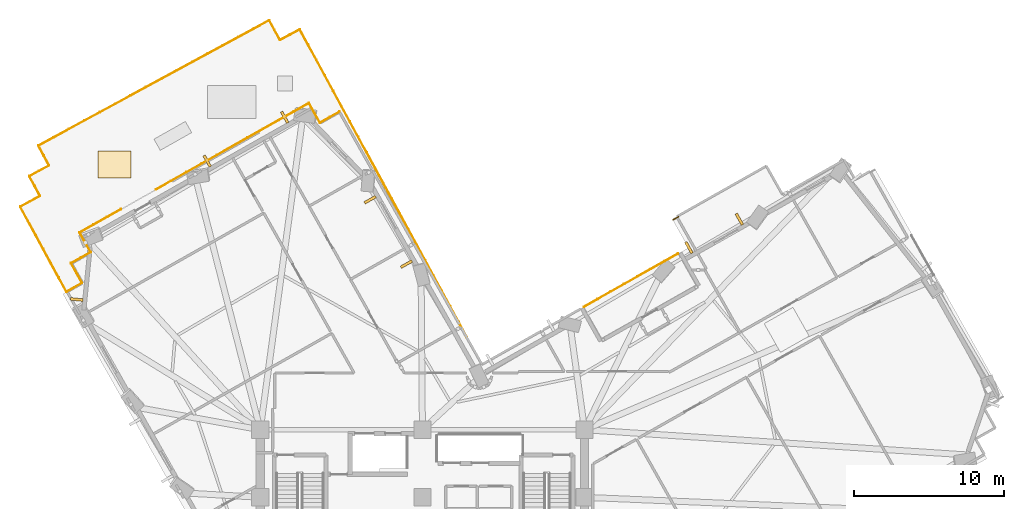
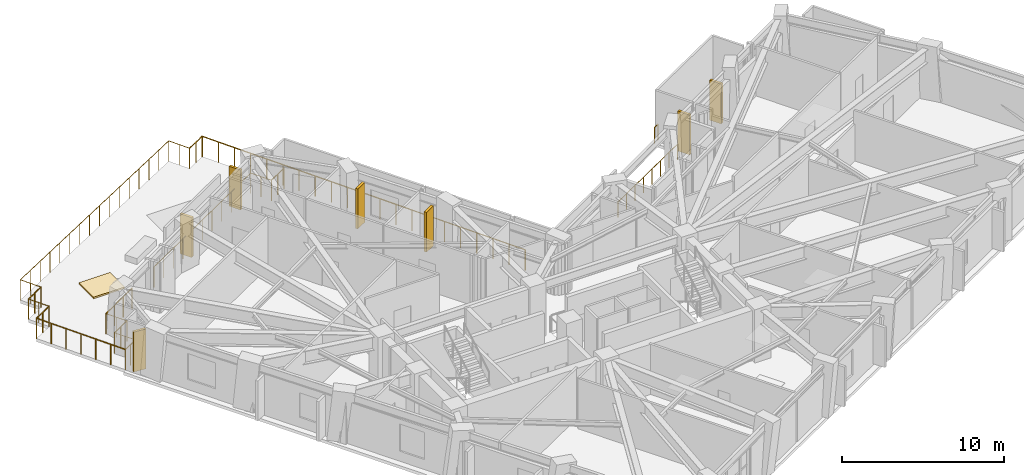
# One storey, part 17 of 18: 19 railings, 7 shading devices, 1 covering.
"""IFC4 building model written with IfcOpenShell, lengths in metres."""

from ifc_helpers import new_model, si_unit, direction, frame, origin, origin_2d, place, context, subcontext, project, spatial, rectangle, circle, extrude, material, layer, layer_set, type_object, element, save


model = new_model("IFC4")

# Units and contexts
model_context = context("Model", 3, precision=1e-05, world=origin(), true_north=direction((0.0, 1.0)))
body_context = subcontext(model_context, "Body", "Model", "MODEL_VIEW")
ifc_project = project(units=[si_unit("LENGTHUNIT", "METRE"), si_unit("AREAUNIT", "SQUARE_METRE"), si_unit("VOLUMEUNIT", "CUBIC_METRE"), si_unit("PLANEANGLEUNIT", "RADIAN"), si_unit("MASSUNIT", "GRAM", prefix="KILO")], contexts=[model_context])

# Site, building, storey
site_placement = place(None, origin())
site = spatial("IfcSite", under=ifc_project, at=site_placement, CompositionType="ELEMENT")
building_placement = place(site_placement, origin())
building = spatial("IfcBuilding", under=site, at=building_placement, Name="Gaonmaruhae Medical Tower", CompositionType="ELEMENT")
storey_placement = place(building_placement, frame((0.0, 0.0, 149.800048828125)))
storey = spatial("IfcBuildingStorey", under=building, at=storey_placement, Name="L35", CompositionType="ELEMENT", Elevation=149.800048828125)

# Railings
ifc_material_1 = material(Name="Stainless steel 316L and laminated safety glass", Category="steel")
ifc_layer_1 = layer(ifc_material_1, 0.080078125)
ifc_layer_set_1 = layer_set([ifc_layer_1], Name="Stainless steel 316L and laminated safety glass")
railing_type_1 = type_object("IfcRailingType", Name="GD-120 Outdoor Terrace Safety Glass & Steel Balustrade", PredefinedType="BALUSTRADE", material=ifc_layer_set_1)
railing_1_placement = place(storey_placement, frame((41.8251953125, 28.525390625, 0.0)))
element("IfcRailing", 1, at=railing_1_placement, inside=storey, type_object=railing_type_1, Name="L35 Terrace Safety Guard RL-SLB-L35-TER-03", PredefinedType="BALUSTRADE", context=body_context, shape_type="SweptSolid", body=[
    extrude(circle(Radius=0.02392578125, at=origin_2d()), frame((0.0, 0.0, 1.17578125), z_axis=(-0.870785676022, -0.491662797489, 0.0), x_axis=(0.491662797489, -0.870785676022, 0.0)), (0.0, 0.0, 1.0), 7.2001953125),
    extrude(circle(Radius=0.02099609375, at=origin_2d()), origin(), (0.0, 0.0, 1.0), 1.15185546875),
    extrude(circle(Radius=0.02099609375, at=origin_2d()), frame((-0.895751953125, -0.505615234375, 0.0)), (0.0, 0.0, 1.0), 1.15185546875),
    extrude(circle(Radius=0.02099609375, at=origin_2d()), frame((-1.791259765625, -1.011474609375, 0.0)), (0.0, 0.0, 1.0), 1.15185546875),
    extrude(circle(Radius=0.02099609375, at=origin_2d()), frame((-2.68701171875, -1.51708984375, 0.0)), (0.0, 0.0, 1.0), 1.15185546875),
    extrude(circle(Radius=0.02099609375, at=origin_2d()), frame((-3.582763671875, -2.02294921875, 0.0)), (0.0, 0.0, 1.0), 1.15185546875),
    extrude(circle(Radius=0.02099609375, at=origin_2d()), frame((-4.478515625, -2.528564453125, 0.0)), (0.0, 0.0, 1.0), 1.15185546875),
    extrude(circle(Radius=0.02099609375, at=origin_2d()), frame((-5.3740234375, -3.034423828125, 0.0)), (0.0, 0.0, 1.0), 1.15185546875),
    extrude(circle(Radius=0.02099609375, at=origin_2d()), frame((-6.269775390625, -3.5400390625, 0.0)), (0.0, 0.0, 1.0), 1.15185546875),
])
railing_2_placement = place(storey_placement, frame((41.491943359375, 30.783447265625, 0.0)))
element("IfcRailing", 2, at=railing_2_placement, inside=storey, type_object=railing_type_1, Name="L35 Perimeter Slab Edge Safety Balustrade 08", PredefinedType="BALUSTRADE", context=body_context, shape_type="SweptSolid", body=[
    extrude(circle(Radius=0.02392578125, at=origin_2d()), frame((0.0, 0.0, 1.17578125), z_axis=(0.870861196511, 0.49152901889, 0.0), x_axis=(-0.49152901889, 0.870861196511, 0.0)), (0.0, 0.0, 1.0), 0.411376953125),
    extrude(circle(Radius=0.02099609375, at=origin_2d()), origin(), (0.0, 0.0, 1.0), 1.15185546875),
    extrude(circle(Radius=0.02099609375, at=origin_2d()), frame((0.358154296875, 0.2021484375, 0.0)), (0.0, 0.0, 1.0), 1.15185546875),
])
ifc_layer_2 = layer(ifc_material_1, 0.080078125)
ifc_layer_set_2 = layer_set([ifc_layer_2], Name="Stainless steel 316L and laminated safety glass")
railing_type_2 = type_object("IfcRailingType", Name="GD-155 Planter-Edge Raised Safety Balustrade", PredefinedType="BALUSTRADE", material=ifc_layer_set_2)
railing_3_placement = place(storey_placement, frame((-0.663330078125, 32.3681640625, 0.0)))
element("IfcRailing", 3, at=railing_3_placement, inside=storey, type_object=railing_type_2, Name="L35 Terrace Safety Guard RL-SLB-L35-SKYG1-01", PredefinedType="BALUSTRADE", context=body_context, shape_type="SweptSolid", body=[
    extrude(circle(Radius=0.02392578125, at=origin_2d()), frame((0.0, 0.0, 1.52587890625), z_axis=(-0.47710623176, 0.878845631277, 0.0), x_axis=(-0.878845631277, -0.47710623176, 0.0)), (0.0, 0.0, 1.0), 1.499755859375),
    extrude(circle(Radius=0.02099609375, at=origin_2d()), origin(), (0.0, 0.0, 1.0), 1.501953125),
    extrude(circle(Radius=0.02099609375, at=origin_2d()), frame((-0.35791015625, 0.6591796875, 0.0)), (0.0, 0.0, 1.0), 1.501953125),
    extrude(circle(Radius=0.02099609375, at=origin_2d()), frame((-0.715576171875, 1.318115234375, 0.0)), (0.0, 0.0, 1.0), 1.501953125),
])
railing_4_placement = place(storey_placement, frame((-1.37890625, 33.686279296875, 0.0)))
element("IfcRailing", 4, at=railing_4_placement, inside=storey, type_object=railing_type_2, Name="L35 Terrace Safety Guard RL-SLB-L35-SKYG1-02", PredefinedType="BALUSTRADE", context=body_context, shape_type="SweptSolid", body=[
    extrude(circle(Radius=0.02392578125, at=origin_2d()), frame((0.0, 0.0, 1.52587890625), z_axis=(0.878777373768, 0.477231942931, 0.0), x_axis=(-0.477231942931, 0.878777373768, 0.0)), (0.0, 0.0, 1.0), 1.5),
    extrude(circle(Radius=0.02099609375, at=origin_2d()), origin(), (0.0, 0.0, 1.0), 1.501953125),
    extrude(circle(Radius=0.02099609375, at=origin_2d()), frame((0.6591796875, 0.35791015625, 0.0)), (0.0, 0.0, 1.0), 1.501953125),
    extrude(circle(Radius=0.02099609375, at=origin_2d()), frame((1.318115234375, 0.7158203125, 0.0)), (0.0, 0.0, 1.0), 1.501953125),
])
railing_5_placement = place(storey_placement, frame((-0.060791015625, 34.402099609375, 0.0)))
element("IfcRailing", 5, at=railing_5_placement, inside=storey, type_object=railing_type_2, Name="L35 Terrace Safety Guard RL-SLB-L35-SKYG1-03", PredefinedType="BALUSTRADE", context=body_context, shape_type="SweptSolid", body=[
    extrude(circle(Radius=0.02392578125, at=origin_2d()), frame((0.0, 0.0, 1.52587890625), z_axis=(-0.477231942931, 0.878777373768, 0.0), x_axis=(-0.878777373768, -0.477231942931, 0.0)), (0.0, 0.0, 1.0), 1.5),
    extrude(circle(Radius=0.02099609375, at=origin_2d()), origin(), (0.0, 0.0, 1.0), 1.501953125),
    extrude(circle(Radius=0.02099609375, at=origin_2d()), frame((-0.35791015625, 0.6591796875, 0.0)), (0.0, 0.0, 1.0), 1.501953125),
    extrude(circle(Radius=0.02099609375, at=origin_2d()), frame((-0.7158203125, 1.318115234375, 0.0)), (0.0, 0.0, 1.0), 1.501953125),
])
railing_6_placement = place(storey_placement, frame((-0.776611328125, 35.72021484375, 0.0)))
element("IfcRailing", 6, at=railing_6_placement, inside=storey, type_object=railing_type_2, Name="L35 Terrace Safety Guard RL-SLB-L35-SKYG1-04", PredefinedType="BALUSTRADE", context=body_context, shape_type="SweptSolid", body=[
    extrude(circle(Radius=0.02392578125, at=origin_2d()), frame((0.0, 0.0, 1.52587890625), z_axis=(0.878816828015, 0.477159284513, 0.0), x_axis=(-0.477159284513, 0.878816828015, 0.0)), (0.0, 0.0, 1.0), 17.5),
    extrude(circle(Radius=0.02099609375, at=origin_2d()), origin(), (0.0, 0.0, 1.0), 1.501953125),
    extrude(circle(Radius=0.02099609375, at=origin_2d()), frame((1.025390625, 0.556640625, 0.0)), (0.0, 0.0, 1.0), 1.501953125),
    extrude(circle(Radius=0.02099609375, at=origin_2d()), frame((2.050537109375, 1.11328125, 0.0)), (0.0, 0.0, 1.0), 1.501953125),
    extrude(circle(Radius=0.02099609375, at=origin_2d()), frame((3.075927734375, 1.670166015625, 0.0)), (0.0, 0.0, 1.0), 1.501953125),
    extrude(circle(Radius=0.02099609375, at=origin_2d()), frame((4.10107421875, 2.226806640625, 0.0)), (0.0, 0.0, 1.0), 1.501953125),
    extrude(circle(Radius=0.02099609375, at=origin_2d()), frame((5.12646484375, 2.783447265625, 0.0)), (0.0, 0.0, 1.0), 1.501953125),
    extrude(circle(Radius=0.02099609375, at=origin_2d()), frame((6.15185546875, 3.340087890625, 0.0)), (0.0, 0.0, 1.0), 1.501953125),
    extrude(circle(Radius=0.02099609375, at=origin_2d()), frame((7.177001953125, 3.896728515625, 0.0)), (0.0, 0.0, 1.0), 1.501953125),
    extrude(circle(Radius=0.02099609375, at=origin_2d()), frame((8.202392578125, 4.45361328125, 0.0)), (0.0, 0.0, 1.0), 1.501953125),
    extrude(circle(Radius=0.02099609375, at=origin_2d()), frame((9.2275390625, 5.01025390625, 0.0)), (0.0, 0.0, 1.0), 1.501953125),
    extrude(circle(Radius=0.02099609375, at=origin_2d()), frame((10.2529296875, 5.56689453125, 0.0)), (0.0, 0.0, 1.0), 1.501953125),
    extrude(circle(Radius=0.02099609375, at=origin_2d()), frame((11.2783203125, 6.12353515625, 0.0)), (0.0, 0.0, 1.0), 1.501953125),
    extrude(circle(Radius=0.02099609375, at=origin_2d()), frame((12.303466796875, 6.68017578125, 0.0)), (0.0, 0.0, 1.0), 1.501953125),
    extrude(circle(Radius=0.02099609375, at=origin_2d()), frame((13.328857421875, 7.237060546875, 0.0)), (0.0, 0.0, 1.0), 1.501953125),
    extrude(circle(Radius=0.02099609375, at=origin_2d()), frame((14.35400390625, 7.793701171875, 0.0)), (0.0, 0.0, 1.0), 1.501953125),
    extrude(circle(Radius=0.02099609375, at=origin_2d()), frame((15.37939453125, 8.350341796875, 0.0)), (0.0, 0.0, 1.0), 1.501953125),
])
railing_7_placement = place(storey_placement, frame((14.602783203125, 44.070556640625, 0.0)))
element("IfcRailing", 7, at=railing_7_placement, inside=storey, type_object=railing_type_2, Name="L35 Terrace Safety Guard RL-SLB-L35-SKYG1-05", PredefinedType="BALUSTRADE", context=body_context, shape_type="SweptSolid", body=[
    extrude(circle(Radius=0.02392578125, at=origin_2d()), frame((0.0, 0.0, 1.52587890625), z_axis=(0.477163690056, -0.878814435983, 0.0), x_axis=(0.878814435983, 0.477163690056, 0.0)), (0.0, 0.0, 1.0), 1.500244140625),
    extrude(circle(Radius=0.02099609375, at=origin_2d()), origin(), (0.0, 0.0, 1.0), 1.501953125),
    extrude(circle(Radius=0.02099609375, at=origin_2d()), frame((0.35791015625, -0.6591796875, 0.0)), (0.0, 0.0, 1.0), 1.501953125),
    extrude(circle(Radius=0.02099609375, at=origin_2d()), frame((0.7158203125, -1.318359375, 0.0)), (0.0, 0.0, 1.0), 1.501953125),
])
railing_8_placement = place(storey_placement, frame((15.318603515625, 42.752197265625, 0.0)))
element("IfcRailing", 8, at=railing_8_placement, inside=storey, type_object=railing_type_2, Name="L35 Terrace Safety Guard RL-SLB-L35-SKYG1-06", PredefinedType="BALUSTRADE", context=body_context, shape_type="SweptSolid", body=[
    extrude(circle(Radius=0.02392578125, at=origin_2d()), frame((0.0, 0.0, 1.52587890625), z_axis=(0.878777373768, 0.477231942931, 0.0), x_axis=(-0.477231942931, 0.878777373768, 0.0)), (0.0, 0.0, 1.0), 1.5),
    extrude(circle(Radius=0.02099609375, at=origin_2d()), origin(), (0.0, 0.0, 1.0), 1.501953125),
    extrude(circle(Radius=0.02099609375, at=origin_2d()), frame((0.6591796875, 0.35791015625, 0.0)), (0.0, 0.0, 1.0), 1.501953125),
    extrude(circle(Radius=0.02099609375, at=origin_2d()), frame((1.318115234375, 0.7158203125, 0.0)), (0.0, 0.0, 1.0), 1.501953125),
])
railing_9_placement = place(storey_placement, frame((16.63671875, 43.468017578125, 0.0)))
element("IfcRailing", 9, at=railing_9_placement, inside=storey, type_object=railing_type_2, Name="L35 Terrace Safety Guard RL-SLB-L35-SKYG1-07", PredefinedType="BALUSTRADE", context=body_context, shape_type="SweptSolid", body=[
    extrude(circle(Radius=0.02392578125, at=origin_2d()), frame((0.0, 0.0, 1.52587890625), z_axis=(0.477154870742, -0.878819224486, 0.0), x_axis=(0.878819224486, 0.477154870742, 0.0)), (0.0, 0.0, 1.0), 23.343505859375),
    extrude(circle(Radius=0.02099609375, at=origin_2d()), origin(), (0.0, 0.0, 1.0), 1.501953125),
    extrude(circle(Radius=0.02099609375, at=origin_2d()), frame((0.556884765625, -1.025634765625, 0.0)), (0.0, 0.0, 1.0), 1.501953125),
    extrude(circle(Radius=0.02099609375, at=origin_2d()), frame((1.11376953125, -2.051513671875, 0.0)), (0.0, 0.0, 1.0), 1.501953125),
    extrude(circle(Radius=0.02099609375, at=origin_2d()), frame((1.670654296875, -3.0771484375, 0.0)), (0.0, 0.0, 1.0), 1.501953125),
    extrude(circle(Radius=0.02099609375, at=origin_2d()), frame((2.227783203125, -4.10302734375, 0.0)), (0.0, 0.0, 1.0), 1.501953125),
    extrude(circle(Radius=0.02099609375, at=origin_2d()), frame((2.78466796875, -5.128662109375, 0.0)), (0.0, 0.0, 1.0), 1.501953125),
    extrude(circle(Radius=0.02099609375, at=origin_2d()), frame((3.341552734375, -6.154296875, 0.0)), (0.0, 0.0, 1.0), 1.501953125),
    extrude(circle(Radius=0.02099609375, at=origin_2d()), frame((3.8984375, -7.18017578125, 0.0)), (0.0, 0.0, 1.0), 1.501953125),
    extrude(circle(Radius=0.02099609375, at=origin_2d()), frame((4.455322265625, -8.205810546875, 0.0)), (0.0, 0.0, 1.0), 1.501953125),
    extrude(circle(Radius=0.02099609375, at=origin_2d()), frame((5.01220703125, -9.231689453125, 0.0)), (0.0, 0.0, 1.0), 1.501953125),
    extrude(circle(Radius=0.02099609375, at=origin_2d()), frame((5.5693359375, -10.25732421875, 0.0)), (0.0, 0.0, 1.0), 1.501953125),
    extrude(circle(Radius=0.02099609375, at=origin_2d()), frame((6.126220703125, -11.282958984375, 0.0)), (0.0, 0.0, 1.0), 1.501953125),
    extrude(circle(Radius=0.02099609375, at=origin_2d()), frame((6.68310546875, -12.308837890625, 0.0)), (0.0, 0.0, 1.0), 1.501953125),
    extrude(circle(Radius=0.02099609375, at=origin_2d()), frame((7.239990234375, -13.33447265625, 0.0)), (0.0, 0.0, 1.0), 1.501953125),
    extrude(circle(Radius=0.02099609375, at=origin_2d()), frame((7.796875, -14.3603515625, 0.0)), (0.0, 0.0, 1.0), 1.501953125),
    extrude(circle(Radius=0.02099609375, at=origin_2d()), frame((8.353759765625, -15.385986328125, 0.0)), (0.0, 0.0, 1.0), 1.501953125),
    extrude(circle(Radius=0.02099609375, at=origin_2d()), frame((8.91064453125, -16.41162109375, 0.0)), (0.0, 0.0, 1.0), 1.501953125),
    extrude(circle(Radius=0.02099609375, at=origin_2d()), frame((9.4677734375, -17.4375, 0.0)), (0.0, 0.0, 1.0), 1.501953125),
    extrude(circle(Radius=0.02099609375, at=origin_2d()), frame((10.024658203125, -18.463134765625, 0.0)), (0.0, 0.0, 1.0), 1.501953125),
    extrude(circle(Radius=0.02099609375, at=origin_2d()), frame((10.58154296875, -19.489013671875, 0.0)), (0.0, 0.0, 1.0), 1.501953125),
    extrude(circle(Radius=0.02099609375, at=origin_2d()), frame((11.138427734375, -20.5146484375, 0.0)), (0.0, 0.0, 1.0), 1.501953125),
])
railing_10_placement = place(storey_placement, frame((19.287109375, 37.98681640625, 0.0)))
element("IfcRailing", 10, at=railing_10_placement, inside=storey, type_object=railing_type_2, Name="L35 Terrace Safety Guard RL-SLB-L35-SKYG1-09", PredefinedType="BALUSTRADE", context=body_context, shape_type="SweptSolid", body=[
    extrude(circle(Radius=0.02392578125, at=origin_2d()), frame((0.0, 0.0, 1.52587890625), z_axis=(-0.87076586476, -0.491697883633, 0.0), x_axis=(0.491697883633, -0.87076586476, 0.0)), (0.0, 0.0, 1.0), 1.5),
    extrude(circle(Radius=0.02099609375, at=origin_2d()), origin(), (0.0, 0.0, 1.0), 1.501953125),
    extrude(circle(Radius=0.02099609375, at=origin_2d()), frame((-0.653076171875, -0.36865234375, 0.0)), (0.0, 0.0, 1.0), 1.501953125),
    extrude(circle(Radius=0.02099609375, at=origin_2d()), frame((-1.30615234375, -0.737548828125, 0.0)), (0.0, 0.0, 1.0), 1.501953125),
])
railing_11_placement = place(storey_placement, frame((17.98095703125, 37.249267578125, 0.0)))
element("IfcRailing", 11, at=railing_11_placement, inside=storey, type_object=railing_type_2, Name="L35 Terrace Safety Guard RL-SLB-L35-SKYG1-10", PredefinedType="BALUSTRADE", context=body_context, shape_type="SweptSolid", body=[
    extrude(circle(Radius=0.02392578125, at=origin_2d()), frame((0.0, 0.0, 1.52587890625), z_axis=(-0.491697883633, 0.87076586476, 0.0), x_axis=(-0.87076586476, -0.491697883633, 0.0)), (0.0, 0.0, 1.0), 1.5),
    extrude(circle(Radius=0.02099609375, at=origin_2d()), origin(), (0.0, 0.0, 1.0), 1.501953125),
    extrude(circle(Radius=0.02099609375, at=origin_2d()), frame((-0.36865234375, 0.653076171875, 0.0)), (0.0, 0.0, 1.0), 1.501953125),
    extrude(circle(Radius=0.02099609375, at=origin_2d()), frame((-0.737548828125, 1.30615234375, 0.0)), (0.0, 0.0, 1.0), 1.501953125),
])
railing_12_placement = place(storey_placement, frame((17.243408203125, 38.555419921875, 0.0)))
element("IfcRailing", 12, at=railing_12_placement, inside=storey, type_object=railing_type_2, Name="L35 Terrace Safety Guard RL-SLB-L35-SKYG1-11A", PredefinedType="BALUSTRADE", context=body_context, shape_type="SweptSolid", body=[
    extrude(circle(Radius=0.02392578125, at=origin_2d()), frame((0.0, 0.0, 1.52587890625), z_axis=(-0.870791055116, -0.491653270435, 0.0), x_axis=(0.491653270435, -0.870791055116, 0.0)), (0.0, 0.0, 1.0), 11.710693359375),
    extrude(circle(Radius=0.02099609375, at=origin_2d()), origin(), (0.0, 0.0, 1.0), 1.501953125),
    extrude(circle(Radius=0.02099609375, at=origin_2d()), frame((-1.019775390625, -0.57568359375, 0.0)), (0.0, 0.0, 1.0), 1.501953125),
    extrude(circle(Radius=0.02099609375, at=origin_2d()), frame((-2.03955078125, -1.151611328125, 0.0)), (0.0, 0.0, 1.0), 1.501953125),
    extrude(circle(Radius=0.02099609375, at=origin_2d()), frame((-3.059326171875, -1.727294921875, 0.0)), (0.0, 0.0, 1.0), 1.501953125),
    extrude(circle(Radius=0.02099609375, at=origin_2d()), frame((-4.0791015625, -2.302978515625, 0.0)), (0.0, 0.0, 1.0), 1.501953125),
    extrude(circle(Radius=0.02099609375, at=origin_2d()), frame((-5.0986328125, -2.87890625, 0.0)), (0.0, 0.0, 1.0), 1.501953125),
    extrude(circle(Radius=0.02099609375, at=origin_2d()), frame((-6.118408203125, -3.45458984375, 0.0)), (0.0, 0.0, 1.0), 1.501953125),
    extrude(circle(Radius=0.02099609375, at=origin_2d()), frame((-7.13818359375, -4.0302734375, 0.0)), (0.0, 0.0, 1.0), 1.501953125),
    extrude(circle(Radius=0.02099609375, at=origin_2d()), frame((-8.157958984375, -4.60595703125, 0.0)), (0.0, 0.0, 1.0), 1.501953125),
    extrude(circle(Radius=0.02099609375, at=origin_2d()), frame((-9.177734375, -5.181884765625, 0.0)), (0.0, 0.0, 1.0), 1.501953125),
    extrude(circle(Radius=0.02099609375, at=origin_2d()), frame((-10.197509765625, -5.757568359375, 0.0)), (0.0, 0.0, 1.0), 1.501953125),
])
railing_13_placement = place(storey_placement, frame((4.72607421875, 31.488037109375, 0.0)))
element("IfcRailing", 13, at=railing_13_placement, inside=storey, type_object=railing_type_2, Name="L35 Terrace Safety Guard RL-SLB-L35-SKYG1-11B", PredefinedType="BALUSTRADE", context=body_context, shape_type="SweptSolid", body=[
    extrude(circle(Radius=0.02392578125, at=origin_2d()), frame((0.0, 0.0, 1.52587890625), z_axis=(-0.87077104955, -0.491688701584, 0.0), x_axis=(0.491688701584, -0.87077104955, 0.0)), (0.0, 0.0, 1.0), 3.16552734375),
    extrude(circle(Radius=0.02099609375, at=origin_2d()), origin(), (0.0, 0.0, 1.0), 1.501953125),
    extrude(circle(Radius=0.02099609375, at=origin_2d()), frame((-0.918701171875, -0.518798828125, 0.0)), (0.0, 0.0, 1.0), 1.501953125),
    extrude(circle(Radius=0.02099609375, at=origin_2d()), frame((-1.837646484375, -1.03759765625, 0.0)), (0.0, 0.0, 1.0), 1.501953125),
    extrude(circle(Radius=0.02099609375, at=origin_2d()), frame((-2.75634765625, -1.556396484375, 0.0)), (0.0, 0.0, 1.0), 1.501953125),
])
railing_14_placement = place(storey_placement, frame((1.9697265625, 29.931640625, 0.0)))
element("IfcRailing", 14, at=railing_14_placement, inside=storey, type_object=railing_type_2, Name="L35 Terrace Safety Guard RL-SLB-L35-SKYG1-12", PredefinedType="BALUSTRADE", context=body_context, shape_type="SweptSolid", body=[
    extrude(circle(Radius=0.02392578125, at=origin_2d()), frame((0.0, 0.0, 1.52587890625), z_axis=(0.491697883633, -0.87076586476, 0.0), x_axis=(0.87076586476, 0.491697883633, 0.0)), (0.0, 0.0, 1.0), 1.5),
    extrude(circle(Radius=0.02099609375, at=origin_2d()), origin(), (0.0, 0.0, 1.0), 1.501953125),
    extrude(circle(Radius=0.02099609375, at=origin_2d()), frame((0.36865234375, -0.653076171875, 0.0)), (0.0, 0.0, 1.0), 1.501953125),
    extrude(circle(Radius=0.02099609375, at=origin_2d()), frame((0.737548828125, -1.30615234375, 0.0)), (0.0, 0.0, 1.0), 1.501953125),
])
railing_15_placement = place(storey_placement, frame((2.707275390625, 28.62548828125, 0.0)))
element("IfcRailing", 15, at=railing_15_placement, inside=storey, type_object=railing_type_2, Name="L35 Terrace Safety Guard RL-SLB-L35-SKYG1-13", PredefinedType="BALUSTRADE", context=body_context, shape_type="SweptSolid", body=[
    extrude(circle(Radius=0.02392578125, at=origin_2d()), frame((0.0, 0.0, 1.52587890625), z_axis=(-0.87076586476, -0.491697883633, 0.0), x_axis=(0.491697883633, -0.87076586476, 0.0)), (0.0, 0.0, 1.0), 1.5),
    extrude(circle(Radius=0.02099609375, at=origin_2d()), origin(), (0.0, 0.0, 1.0), 1.501953125),
    extrude(circle(Radius=0.02099609375, at=origin_2d()), frame((-0.653076171875, -0.36865234375, 0.0)), (0.0, 0.0, 1.0), 1.501953125),
    extrude(circle(Radius=0.02099609375, at=origin_2d()), frame((-1.30615234375, -0.737548828125, 0.0)), (0.0, 0.0, 1.0), 1.501953125),
])
railing_16_placement = place(storey_placement, frame((1.401123046875, 27.887939453125, 0.0)))
element("IfcRailing", 16, at=railing_16_placement, inside=storey, type_object=railing_type_2, Name="L35 Terrace Safety Guard RL-SLB-L35-SKYG1-14", PredefinedType="BALUSTRADE", context=body_context, shape_type="SweptSolid", body=[
    extrude(circle(Radius=0.02392578125, at=origin_2d()), frame((0.0, 0.0, 1.52587890625), z_axis=(0.491697883633, -0.87076586476, 0.0), x_axis=(0.87076586476, 0.491697883633, 0.0)), (0.0, 0.0, 1.0), 1.5),
    extrude(circle(Radius=0.02099609375, at=origin_2d()), origin(), (0.0, 0.0, 1.0), 1.501953125),
    extrude(circle(Radius=0.02099609375, at=origin_2d()), frame((0.36865234375, -0.653076171875, 0.0)), (0.0, 0.0, 1.0), 1.501953125),
    extrude(circle(Radius=0.02099609375, at=origin_2d()), frame((0.737548828125, -1.30615234375, 0.0)), (0.0, 0.0, 1.0), 1.501953125),
])
railing_17_placement = place(storey_placement, frame((2.138671875, 26.581787109375, 0.0)))
element("IfcRailing", 17, at=railing_17_placement, inside=storey, type_object=railing_type_2, Name="L35 Terrace Safety Guard RL-SLB-L35-SKYG1-15", PredefinedType="BALUSTRADE", context=body_context, shape_type="SweptSolid", body=[
    extrude(circle(Radius=0.02392578125, at=origin_2d()), frame((0.0, 0.0, 1.52587890625), z_axis=(-0.87078222119, -0.491668916304, 0.0), x_axis=(0.491668916304, -0.87078222119, 0.0)), (0.0, 0.0, 1.0), 1.20166015625),
    extrude(circle(Radius=0.02099609375, at=origin_2d()), origin(), (0.0, 0.0, 1.0), 1.501953125),
    extrude(circle(Radius=0.02099609375, at=origin_2d()), frame((-0.523193359375, -0.29541015625, 0.0)), (0.0, 0.0, 1.0), 1.501953125),
    extrude(circle(Radius=0.02099609375, at=origin_2d()), frame((-1.04638671875, -0.5908203125, 0.0)), (0.0, 0.0, 1.0), 1.501953125),
])
railing_18_placement = place(storey_placement, frame((1.09228515625, 25.990966796875, 0.0)))
element("IfcRailing", 18, at=railing_18_placement, inside=storey, type_object=railing_type_2, Name="L35 Terrace Safety Guard RL-SLB-L35-SKYG1-16", PredefinedType="BALUSTRADE", context=body_context, shape_type="SweptSolid", body=[
    extrude(circle(Radius=0.02392578125, at=origin_2d()), frame((0.0, 0.0, 1.52587890625), z_axis=(-0.477141206574, 0.878826643308, 0.0), x_axis=(-0.878826643308, -0.477141206574, 0.0)), (0.0, 0.0, 1.0), 6.44189453125),
    extrude(circle(Radius=0.02099609375, at=origin_2d()), origin(), (0.0, 0.0, 1.0), 1.501953125),
    extrude(circle(Radius=0.02099609375, at=origin_2d()), frame((-0.51220703125, 0.943603515625, 0.0)), (0.0, 0.0, 1.0), 1.501953125),
    extrude(circle(Radius=0.02099609375, at=origin_2d()), frame((-1.024658203125, 1.88720703125, 0.0)), (0.0, 0.0, 1.0), 1.501953125),
    extrude(circle(Radius=0.02099609375, at=origin_2d()), frame((-1.536865234375, 2.83056640625, 0.0)), (0.0, 0.0, 1.0), 1.501953125),
    extrude(circle(Radius=0.02099609375, at=origin_2d()), frame((-2.049072265625, 3.774169921875, 0.0)), (0.0, 0.0, 1.0), 1.501953125),
    extrude(circle(Radius=0.02099609375, at=origin_2d()), frame((-2.5615234375, 4.7177734375, 0.0)), (0.0, 0.0, 1.0), 1.501953125),
    extrude(circle(Radius=0.02099609375, at=origin_2d()), frame((-3.07373046875, 5.661376953125, 0.0)), (0.0, 0.0, 1.0), 1.501953125),
])
railing_19_placement = place(storey_placement, frame((-1.9814453125, 31.65234375, 0.0)))
element("IfcRailing", 19, at=railing_19_placement, inside=storey, type_object=railing_type_2, Name="L35 Terrace Safety Guard RL-SLB-L35-SKYG1-17", PredefinedType="BALUSTRADE", context=body_context, shape_type="SweptSolid", body=[
    extrude(circle(Radius=0.02392578125, at=origin_2d()), frame((0.0, 0.0, 1.52587890625), z_axis=(0.878777373768, 0.477231942931, 0.0), x_axis=(-0.477231942931, 0.878777373768, 0.0)), (0.0, 0.0, 1.0), 1.5),
    extrude(circle(Radius=0.02099609375, at=origin_2d()), origin(), (0.0, 0.0, 1.0), 1.501953125),
    extrude(circle(Radius=0.02099609375, at=origin_2d()), frame((0.6591796875, 0.35791015625, 0.0)), (0.0, 0.0, 1.0), 1.501953125),
    extrude(circle(Radius=0.02099609375, at=origin_2d()), frame((1.318115234375, 0.7158203125, 0.0)), (0.0, 0.0, 1.0), 1.501953125),
])

# Covering
ifc_material_2 = material(Name="EPDM insulated roofing membrane", Category="membrane")
ifc_layer_3 = layer(ifc_material_2, 0.1201171875)
ifc_layer_set_3 = layer_set([ifc_layer_3], Name="EPDM insulated roofing membrane")
covering_type = type_object("IfcCoveringType", Name="RFG-01 Insulated EPDM Waterproof Roofing Membrane", PredefinedType="ROOFING", material=ifc_layer_set_3)
covering_placement = place(storey_placement, frame((4.303466796875, 34.474365234375, 0.0), z_axis=(0.0, 0.0, 1.0), x_axis=(1.0, 0.0, 0.0)))
element("IfcCovering", 20, at=covering_placement, inside=storey, type_object=covering_type, Name="L35 Terrace Waterproofing Membrane SLB-L35-SKYG1", PredefinedType="ROOFING", context=body_context, shape_type="SweptSolid", body=[
    extrude(rectangle(XDim=2.199951171875, YDim=1.800048828125, at=origin_2d()), origin(), (0.0, 0.0, 1.0), 0.1201171875),
])

# Shading devices
ifc_material_3 = material(Name="Pigmented coral precast concrete C45/55", Category="concrete")
shading_device_type = type_object("IfcShadingDeviceType", Name="SD-FIN1 Tower Vertical Coral Precast Shading Fin", PredefinedType="USERDEFINED", material=ifc_material_3)
for number, where, z_axis, x_axis, name in (
    (21, (42.55029296875, 28.92919921875, 0.072509765625), (0.0, 0.0, 1.0), (0.870793666121, 0.491648645929, 0.0), "L35 Vertical Coral Precast Shading Fin EN01"),
    (22, (45.90771484375, 30.82470703125, 0.072509765625), (0.0, 0.0, 1.0), (0.870793666121, 0.491648645929, 0.0), "L35 Vertical Coral Precast Shading Fin EN01B"),
    (23, (23.73974609375, 27.832763671875, 0.08251953125), (0.0, 0.0, 1.0), (-0.491663844071, 0.8707850851, 0.0), "L35 Vertical Coral Precast Shading Fin NE01"),
    (24, (21.319580078125, 32.119384765625, 0.08251953125), (0.0, 0.0, 1.0), (-0.491663844071, 0.8707850851, 0.0), "L35 Vertical Coral Precast Shading Fin NE01B"),
    (25, (10.461181640625, 34.697265625, 0.08251953125), (0.0, 0.0, 1.0), (0.8707850851, 0.491663844071, 0.0), "L35 Vertical Coral Precast Shading Fin N01"),
    (26, (15.62548828125, 37.61328125, 0.08251953125), (0.0, 0.0, 1.0), (0.8707850851, 0.491663844071, 0.0), "L35 Vertical Coral Precast Shading Fin N01B"),
    (27, (1.7705078125, 25.47705078125, 0.08251953125), (0.0, 0.0, 1.0), (0.1004832703, 0.994938748059, 0.0), "L35 Vertical Coral Precast Shading Fin N03"),
):
    element("IfcShadingDevice", number, at=place(storey_placement, frame(where, z_axis=z_axis, x_axis=x_axis)), inside=storey, type_object=shading_device_type, Name=name, ObjectType="FIN", PredefinedType="USERDEFINED", context=body_context, shape_type="SweptSolid", body=[
        extrude(rectangle(XDim=0.179931640625, YDim=0.85009765625, at=origin_2d()), origin(), (0.0, 0.0, 1.0), 3.0),
    ])

save(model, "model.ifc")
